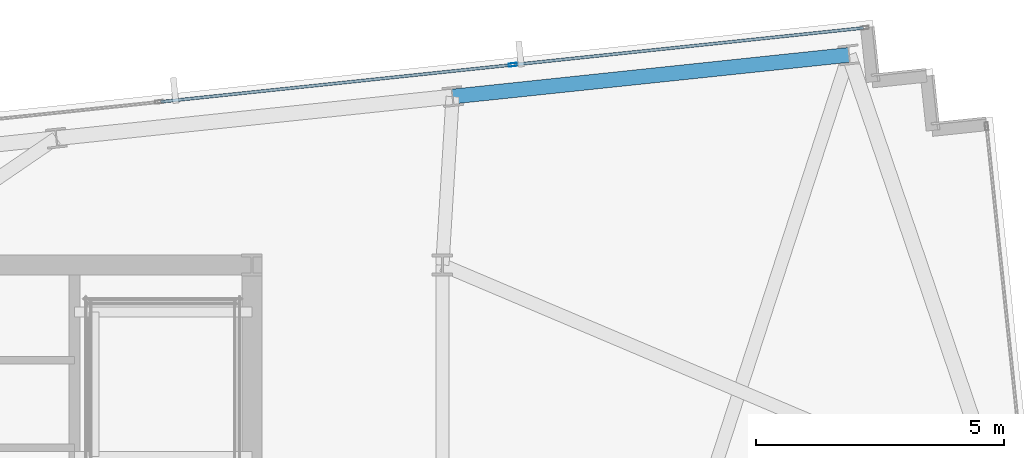
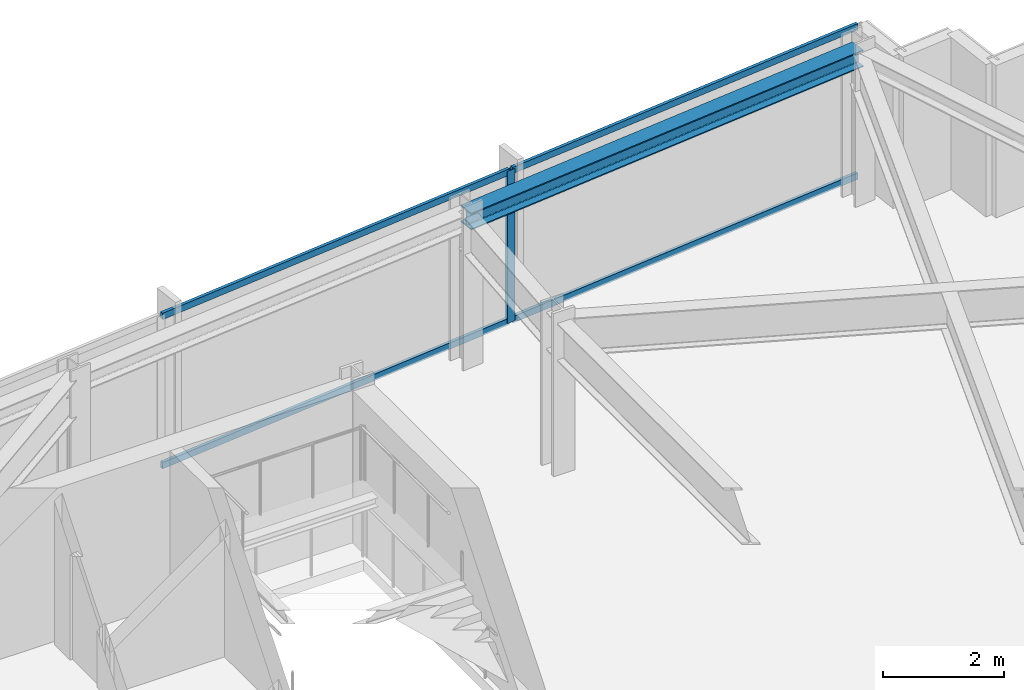
# One storey, part 24 of 33: 5 members, 1 beam, 1 element without a shape of its own.
"""IFC4 building model written with IfcOpenShell, lengths in metres."""

from ifc_helpers import new_model, si_unit, direction, frame, origin, origin_2d, place, context, subcontext, project, spatial, hollow_rectangle, i_section, extrude, material, material_profile, profile_set, type_object, element, aggregate, save


model = new_model("IFC4")

# Units and contexts
model_context = context("Model", 3, precision=1e-05, world=origin(), true_north=direction((0.0, 1.0)))
body_context = subcontext(model_context, "Body", "Model", "MODEL_VIEW")
ifc_project = project(units=[si_unit("LENGTHUNIT", "METRE"), si_unit("AREAUNIT", "SQUARE_METRE"), si_unit("VOLUMEUNIT", "CUBIC_METRE"), si_unit("PLANEANGLEUNIT", "RADIAN"), si_unit("MASSUNIT", "GRAM", prefix="KILO")], contexts=[model_context])

# Site, building, storey
site_placement = place(None, origin())
site = spatial("IfcSite", under=ifc_project, at=site_placement, CompositionType="ELEMENT")
building_placement = place(site_placement, origin())
building = spatial("IfcBuilding", under=site, at=building_placement, Name="Yelkora Congress Tower", CompositionType="ELEMENT")
storey_placement = place(building_placement, frame((0.0, 0.0, 230.89990234375)))
storey = spatial("IfcBuildingStorey", under=building, at=storey_placement, Name="L64", CompositionType="ELEMENT", Elevation=230.89990234375)

# Beam
ifc_material_1 = material(Name="Steel S355J2", Category="steel")
ifc_material_profile_1 = material_profile(ifc_material_1, i_section(OverallWidth=0.300048828125, OverallDepth=0.340087890625, WebThickness=0.011962890625, FlangeThickness=0.021484375, FilletRadius=0.027099609375, at=origin_2d()), Name="HEB 340")
ifc_profile_set_1 = profile_set([ifc_material_profile_1], Name="Steel S355J2")
beam_type = type_object("IfcBeamType", Name="BM-SPAN-HEB340", PredefinedType="SPANDREL", material=ifc_profile_set_1)
beam_placement = place(storey_placement, frame((65.7958984375, 50.4365234375, 2.91015625), z_axis=(-0.994520097542, -0.104545567032, 0.0), x_axis=(0.104545567032, -0.994520097542, 0.0)))
element("IfcBeam", 1, at=beam_placement, inside=storey, type_object=beam_type, Name="L64 Perimeter Beam 13", PredefinedType="SPANDREL", context=body_context, shape_type="SweptSolid", body=[
    extrude(i_section(OverallWidth=0.300048828125, OverallDepth=0.340087890625, WebThickness=0.011962890625, FlangeThickness=0.021484375, FilletRadius=0.027099609375, at=origin_2d()), origin(), (0.0, 0.0, 1.0), 8.033203125),
])

# Curtain wall, members
ifc_material_2 = material(Name="Anodised aluminium and insulated glass", Category="aluminium")
curtain_wall_type = type_object("IfcCurtainWallType", Name="CW-SYS-B4", PredefinedType="NOTDEFINED", material=ifc_material_2)
curtain_wall_placement = place(storey_placement, origin())
curtain_wall = element("IfcCurtainWall", 2, at=curtain_wall_placement, inside=storey, type_object=curtain_wall_type, Name="L64 Unitised Curtain Wall 10 (3)", PredefinedType="NOTDEFINED")
ifc_material_3 = material(Name="Anodised aluminium 6063-T6", Category="aluminium")
ifc_material_profile_2 = material_profile(ifc_material_3, hollow_rectangle(XDim=0.06494140625, YDim=0.159912109375, WallThickness=0.00390625, at=origin_2d()), Name="ALU 65x160x4")
ifc_profile_set_2 = profile_set([ifc_material_profile_2], Name="Anodised aluminium 6063-T6")
member_type_1 = type_object("IfcMemberType", Name="MEM-ML-B4", PredefinedType="MULLION", material=ifc_profile_set_2)
member_1_placement = place(storey_placement, frame((59.019775390625, 50.237060546875, 0.0), z_axis=(0.0, 0.0, 1.0), x_axis=(-0.104527724021, 0.994521973066, 0.0)))
member_1 = element("IfcMember", 3, at=member_1_placement, type_object=member_type_1, Name="CW-B4 mullion 6", PredefinedType="MULLION", context=body_context, shape_type="SweptSolid", body=[
    extrude(hollow_rectangle(XDim=0.06494140625, YDim=0.159912109375, WallThickness=0.00390625, at=origin_2d()), origin(), (0.0, 0.0, 1.0), 3.080078125),
])
ifc_material_profile_3 = material_profile(ifc_material_3, hollow_rectangle(XDim=0.06005859375, YDim=0.1298828125, WallThickness=0.00390625, at=origin_2d()), Name="ALU 60x130x4")
ifc_profile_set_3 = profile_set([ifc_material_profile_3], Name="Anodised aluminium 6063-T6")
member_type_2 = type_object("IfcMemberType", Name="MEM-TR-B4", PredefinedType="USERDEFINED", material=ifc_profile_set_3)
member_2_placement = place(storey_placement, frame((51.92138671875, 49.490966796875, 0.030029296875), z_axis=(0.99452200925, 0.104527379751, 0.0), x_axis=(-0.104527379751, 0.99452200925, 0.0)))
member_2 = element("IfcMember", 4, at=member_2_placement, type_object=member_type_2, Name="CW-B4 transom 5.1", ObjectType="TRANSOM", PredefinedType="USERDEFINED", context=body_context, shape_type="SweptSolid", body=[
    extrude(hollow_rectangle(XDim=0.06005859375, YDim=0.1298828125, WallThickness=0.00390625, at=origin_2d()), origin(), (0.0, 0.0, 1.0), 7.10498046875),
])
member_3_placement = place(storey_placement, frame((51.92138671875, 49.490966796875, 3.050048828125), z_axis=(0.99452200925, 0.104527379751, 0.0), x_axis=(-0.104527379751, 0.99452200925, 0.0)))
member_3 = element("IfcMember", 5, at=member_3_placement, type_object=member_type_2, Name="CW-B4 transom 5.2", ObjectType="TRANSOM", PredefinedType="USERDEFINED", context=body_context, shape_type="SweptSolid", body=[
    extrude(hollow_rectangle(XDim=0.06005859375, YDim=0.1298828125, WallThickness=0.00390625, at=origin_2d()), origin(), (0.0, 0.0, 1.0), 7.10498046875),
])
member_4_placement = place(storey_placement, frame((59.052001953125, 50.240478515625, 0.030029296875), z_axis=(0.994522462765, 0.104523064706, 0.0), x_axis=(-0.104523064706, 0.994522462765, 0.0)))
member_4 = element("IfcMember", 6, at=member_4_placement, type_object=member_type_2, Name="CW-B4 transom 6.1", ObjectType="TRANSOM", PredefinedType="USERDEFINED", context=body_context, shape_type="SweptSolid", body=[
    extrude(hollow_rectangle(XDim=0.06005859375, YDim=0.1298828125, WallThickness=0.00390625, at=origin_2d()), origin(), (0.0, 0.0, 1.0), 7.07275390625),
])
member_5_placement = place(storey_placement, frame((59.052001953125, 50.240478515625, 3.050048828125), z_axis=(0.994522462765, 0.104523064706, 0.0), x_axis=(-0.104523064706, 0.994522462765, 0.0)))
member_5 = element("IfcMember", 7, at=member_5_placement, type_object=member_type_2, Name="CW-B4 transom 6.2", ObjectType="TRANSOM", PredefinedType="USERDEFINED", context=body_context, shape_type="SweptSolid", body=[
    extrude(hollow_rectangle(XDim=0.06005859375, YDim=0.1298828125, WallThickness=0.00390625, at=origin_2d()), origin(), (0.0, 0.0, 1.0), 7.07275390625),
])
aggregate(curtain_wall, [member_1, member_2, member_3, member_4, member_5])

save(model, "model.ifc")
